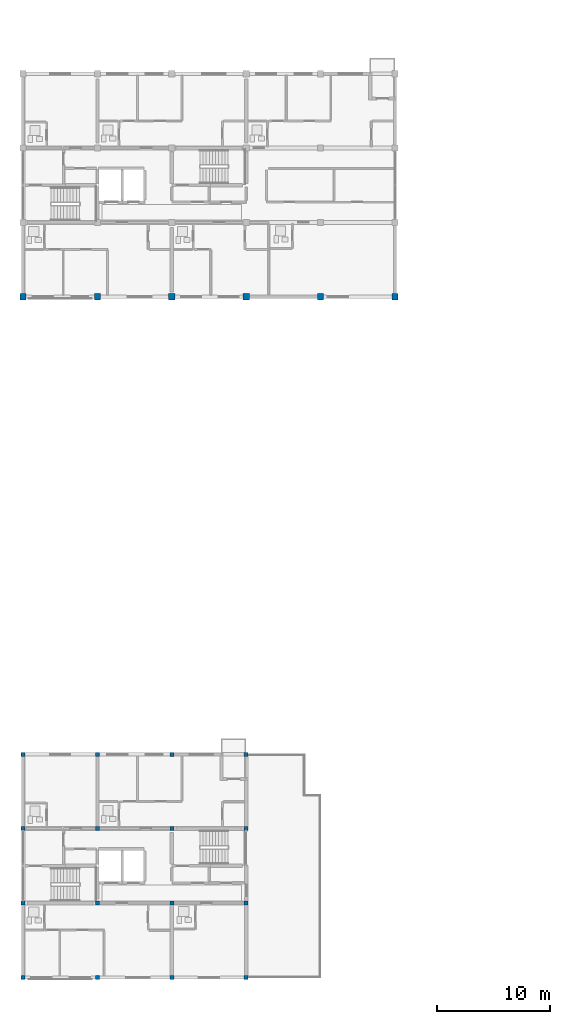
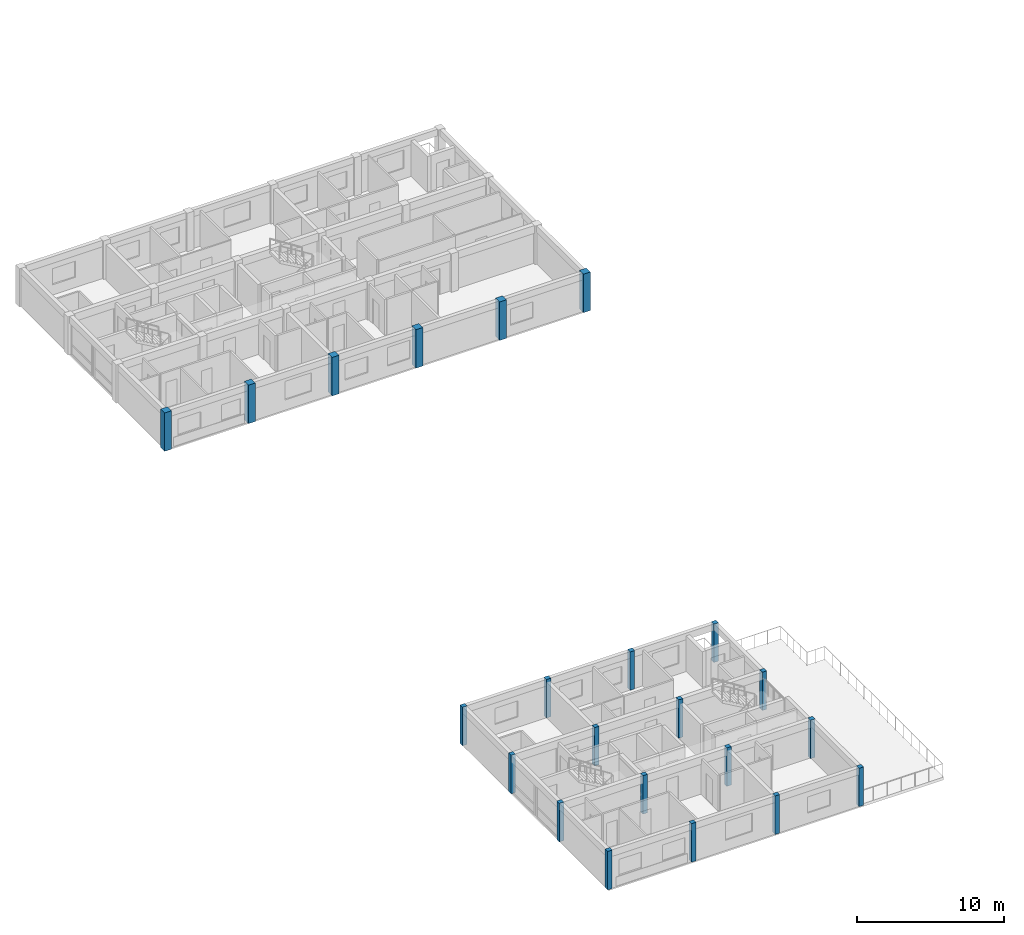
# One storey, part 1 of 46: 22 columns.
"""IFC4 building model written with IfcOpenShell, lengths in metres."""

from ifc_helpers import new_model, si_unit, direction, frame, origin, origin_2d, place, context, subcontext, project, spatial, rectangle, extrude, material, material_profile, profile_set, type_object, element, save


model = new_model("IFC4")

# Units and contexts
model_context = context("Model", 3, precision=1e-05, world=origin(), true_north=direction((0.0, 1.0)))
body_context = subcontext(model_context, "Body", "Model", "MODEL_VIEW")
ifc_project = project(units=[si_unit("LENGTHUNIT", "METRE"), si_unit("AREAUNIT", "SQUARE_METRE"), si_unit("VOLUMEUNIT", "CUBIC_METRE"), si_unit("PLANEANGLEUNIT", "RADIAN"), si_unit("MASSUNIT", "GRAM", prefix="KILO")], contexts=[model_context])

# Site, building, storey
site_placement = place(None, origin())
site = spatial("IfcSite", under=ifc_project, at=site_placement, CompositionType="ELEMENT")
building_placement = place(site_placement, origin())
building = spatial("IfcBuilding", under=site, at=building_placement, Name="Kernevlak Ridge Housing Community", CompositionType="ELEMENT")
storey_placement = place(building_placement, frame((0.0, 0.0, 27.60009765625)))
storey = spatial("IfcBuildingStorey", under=building, at=storey_placement, Name="L08", CompositionType="ELEMENT", Elevation=27.60009765625)

# Columns
ifc_material_1 = material(Name="Concrete C40/50", Category="concrete")
ifc_material_profile_1 = material_profile(ifc_material_1, rectangle(XDim=0.550048828125, YDim=0.550048828125, at=origin_2d()), Name="RC 550x550")
ifc_profile_set_1 = profile_set([ifc_material_profile_1], Name="Concrete C40/50")
column_type_1 = type_object("IfcColumnType", Name="C-02", PredefinedType="COLUMN", material=ifc_profile_set_1)
for number, where, z_axis, x_axis, name in (
    (1, (15.60009765625, 76.0, 0.0), (0.0, 0.0, 1.0), (1.0, 0.0, 0.0), "Column C-02 COL-A-L08-00-0"),
    (2, (22.199951171875, 76.0, 0.0), (0.0, 0.0, 1.0), (1.0, 0.0, 0.0), "Column C-02 COL-A-L08-01-0"),
    (3, (28.800048828125, 76.0, 0.0), (0.0, 0.0, 1.0), (1.0, 0.0, 0.0), "Column C-02 COL-A-L08-02-0"),
    (4, (35.39990234375, 76.0, 0.0), (0.0, 0.0, 1.0), (1.0, 0.0, 0.0), "Column C-02 COL-A-L08-03-0"),
    (5, (42.0, 76.0, 0.0), (0.0, 0.0, 1.0), (1.0, 0.0, 0.0), "Column C-02 COL-A-L08-04-0"),
    (6, (48.60009765625, 76.0, 0.0), (0.0, 0.0, 1.0), (1.0, 0.0, 0.0), "Column C-02 COL-A-L08-05-0"),
):
    element("IfcColumn", number, at=place(storey_placement, frame(where, z_axis=z_axis, x_axis=x_axis)), inside=storey, type_object=column_type_1, Name=name, PredefinedType="COLUMN", context=body_context, shape_type="SweptSolid", body=[
        extrude(rectangle(XDim=0.550048828125, YDim=0.550048828125, at=origin_2d()), origin(), (0.0, 0.0, 1.0), 3.199951171875),
    ])
ifc_material_2 = material(Name="Concrete C35/45", Category="concrete")
ifc_material_profile_2 = material_profile(ifc_material_2, rectangle(XDim=0.35009765625, YDim=0.35009765625, at=origin_2d()), Name="RC 350x350")
ifc_profile_set_2 = profile_set([ifc_material_profile_2], Name="Concrete C35/45")
column_type_2 = type_object("IfcColumnType", Name="C-06", PredefinedType="COLUMN", material=ifc_profile_set_2)
for number, where, z_axis, x_axis, name in (
    (7, (15.60009765625, 15.60009765625, 0.0), (0.0, 0.0, 1.0), (1.0, 0.0, 0.0), "Column C-06 COL-D-L08-00-0"),
    (8, (15.60009765625, 22.199951171875, 0.0), (0.0, 0.0, 1.0), (1.0, 0.0, 0.0), "Column C-06 COL-D-L08-00-1"),
    (9, (15.60009765625, 28.800048828125, 0.0), (0.0, 0.0, 1.0), (1.0, 0.0, 0.0), "Column C-06 COL-D-L08-00-2"),
    (10, (15.60009765625, 35.39990234375, 0.0), (0.0, 0.0, 1.0), (1.0, 0.0, 0.0), "Column C-06 COL-D-L08-00-3"),
    (11, (22.199951171875, 15.60009765625, 0.0), (0.0, 0.0, 1.0), (1.0, 0.0, 0.0), "Column C-06 COL-D-L08-01-0"),
    (12, (22.199951171875, 22.199951171875, 0.0), (0.0, 0.0, 1.0), (1.0, 0.0, 0.0), "Column C-06 COL-D-L08-01-1"),
    (13, (22.199951171875, 28.800048828125, 0.0), (0.0, 0.0, 1.0), (1.0, 0.0, 0.0), "Column C-06 COL-D-L08-01-2"),
    (14, (22.199951171875, 35.39990234375, 0.0), (0.0, 0.0, 1.0), (1.0, 0.0, 0.0), "Column C-06 COL-D-L08-01-3"),
    (15, (28.800048828125, 15.60009765625, 0.0), (0.0, 0.0, 1.0), (1.0, 0.0, 0.0), "Column C-06 COL-D-L08-02-0"),
    (16, (28.800048828125, 22.199951171875, 0.0), (0.0, 0.0, 1.0), (1.0, 0.0, 0.0), "Column C-06 COL-D-L08-02-1"),
    (17, (28.800048828125, 28.800048828125, 0.0), (0.0, 0.0, 1.0), (1.0, 0.0, 0.0), "Column C-06 COL-D-L08-02-2"),
    (18, (28.800048828125, 35.39990234375, 0.0), (0.0, 0.0, 1.0), (1.0, 0.0, 0.0), "Column C-06 COL-D-L08-02-3"),
    (19, (35.39990234375, 15.60009765625, 0.0), (0.0, 0.0, 1.0), (1.0, 0.0, 0.0), "Column C-06 COL-D-L08-03-0"),
    (20, (35.39990234375, 22.199951171875, 0.0), (0.0, 0.0, 1.0), (1.0, 0.0, 0.0), "Column C-06 COL-D-L08-03-1"),
    (21, (35.39990234375, 28.800048828125, 0.0), (0.0, 0.0, 1.0), (1.0, 0.0, 0.0), "Column C-06 COL-D-L08-03-2"),
    (22, (35.39990234375, 35.39990234375, 0.0), (0.0, 0.0, 1.0), (1.0, 0.0, 0.0), "Column C-06 COL-D-L08-03-3"),
):
    element("IfcColumn", number, at=place(storey_placement, frame(where, z_axis=z_axis, x_axis=x_axis)), inside=storey, type_object=column_type_2, Name=name, PredefinedType="COLUMN", context=body_context, shape_type="SweptSolid", body=[
        extrude(rectangle(XDim=0.35009765625, YDim=0.35009765625, at=origin_2d()), origin(), (0.0, 0.0, 1.0), 3.199951171875),
    ])

save(model, "model.ifc")
